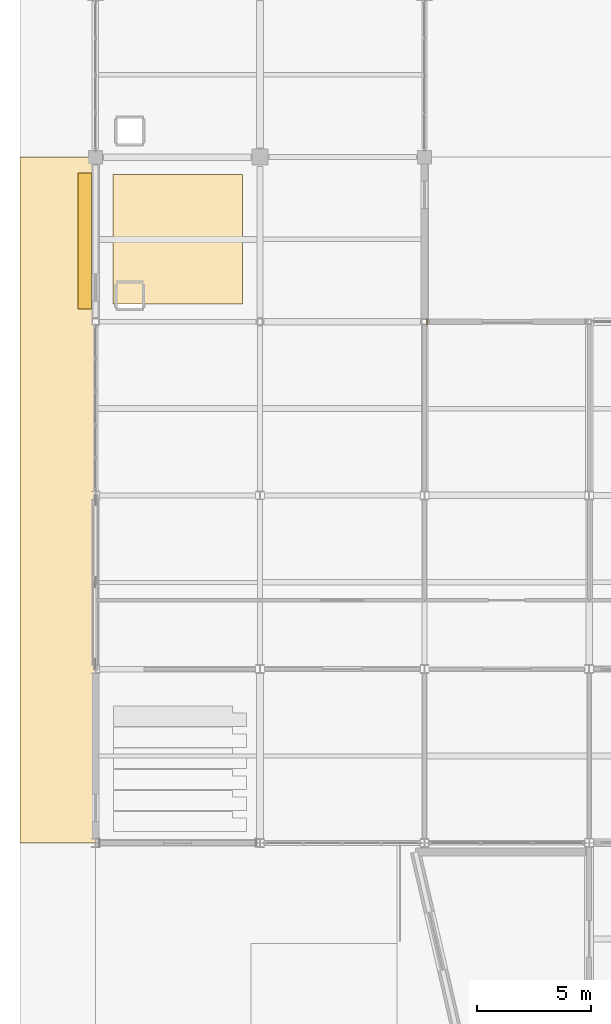
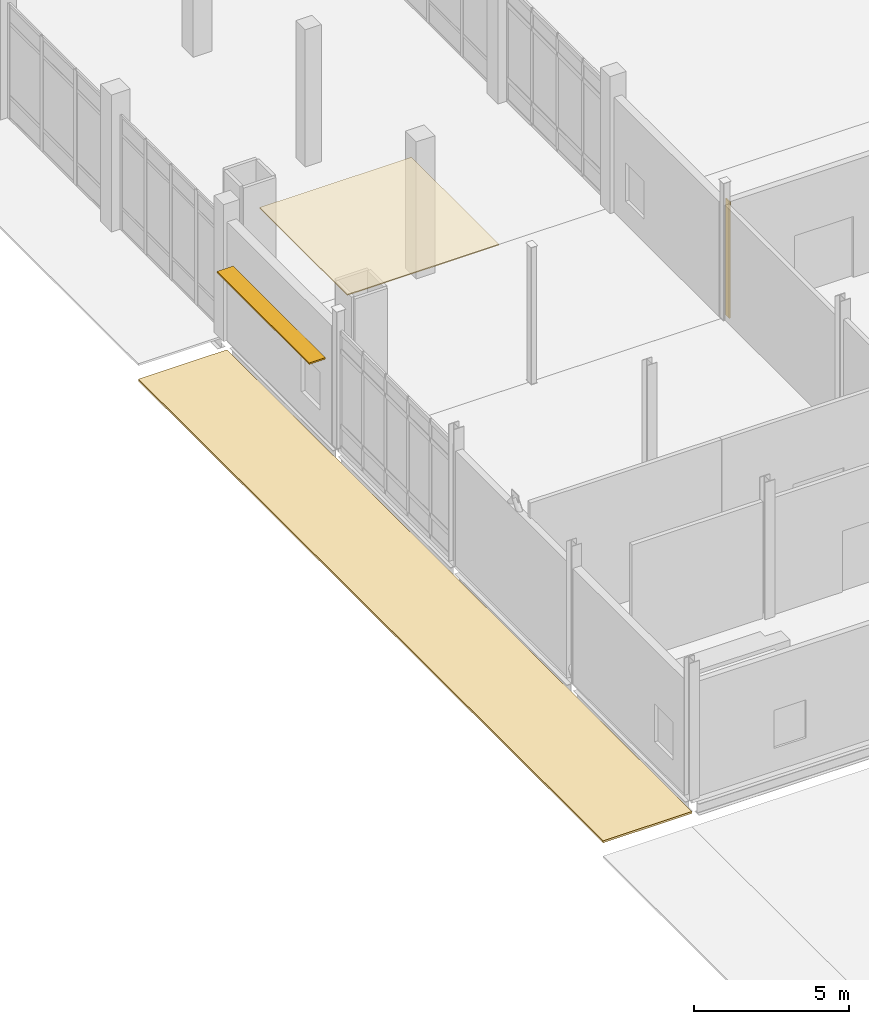
# One storey, part 213 of 229: 3 coverings, 1 shading device.
"""IFC4 building model written with IfcOpenShell, lengths in metres."""

from ifc_helpers import new_model, si_unit, direction, frame, origin, origin_2d, place, context, subcontext, project, spatial, polyline, rectangle, outline, extrude, material, layer, layer_set, type_object, element, save


model = new_model("IFC4")

# Units and contexts
model_context = context("Model", 3, precision=1e-05, world=origin(), true_north=direction((0.0, 1.0)))
body_context = subcontext(model_context, "Body", "Model", "MODEL_VIEW")
ifc_project = project(units=[si_unit("LENGTHUNIT", "METRE"), si_unit("AREAUNIT", "SQUARE_METRE"), si_unit("VOLUMEUNIT", "CUBIC_METRE"), si_unit("PLANEANGLEUNIT", "RADIAN"), si_unit("MASSUNIT", "GRAM", prefix="KILO")], contexts=[model_context])

# Site, building, storey
site_placement = place(None, origin())
site = spatial("IfcSite", under=ifc_project, at=site_placement, CompositionType="ELEMENT")
building_placement = place(site_placement, origin())
building = spatial("IfcBuilding", under=site, at=building_placement, Name="Calvrana Isthmian Art Gallery", CompositionType="ELEMENT")
storey_placement = place(building_placement, origin())
storey = spatial("IfcBuildingStorey", under=building, at=storey_placement, Name="L00", CompositionType="ELEMENT", Elevation=0.0)

# Coverings
ifc_material_1 = material(Name="Acoustic gypsum ceiling", Category="gypsum")
ifc_layer_1 = layer(ifc_material_1, 0.0400390625, Name="Acoustic gypsum ceiling")
ifc_layer_set_1 = layer_set([ifc_layer_1], Name="Acoustic gypsum ceiling")
covering_type_1 = type_object("IfcCoveringType", Name="COV-CEIL-ACOUST", PredefinedType="CEILING", material=ifc_layer_set_1)
covering_1_placement = place(storey_placement, frame((0.0, 0.0, 5.162109375)))
element("IfcCovering", 1, at=covering_1_placement, inside=storey, type_object=covering_type_1, Name="Gallery acoustic ceiling 11", PredefinedType="CEILING", context=body_context, shape_type="SweptSolid", body=[
    extrude(outline(polyline([(0.77001953125, 70.3701171875), (6.429931640625, 70.3701171875), (6.429931640625, 76.030029296875), (0.77001953125, 76.030029296875), (0.77001953125, 70.3701171875)])), origin(), (0.0, 0.0, 1.0), 0.039794921875),
])
ifc_material_2 = material(Name="Polychrome glazed terracotta", Category="masonry")
ifc_layer_2 = layer(ifc_material_2, 0.0400390625, Name="Polychrome glazed terracotta")
ifc_layer_set_2 = layer_set([ifc_layer_2], Name="Polychrome glazed terracotta")
covering_type_2 = type_object("IfcCoveringType", Name="COV-CLAD-TERRA", PredefinedType="CLADDING", material=ifc_layer_set_2)
covering_2_placement = place(storey_placement, origin())
element("IfcCovering", 2, at=covering_2_placement, inside=storey, type_object=covering_type_2, Name="Column pocket weather closure L00-02-09-W", PredefinedType="CLADDING", context=body_context, shape_type="SweptSolid", body=[
    extrude(outline(polyline([(14.487060546875, 69.47509765625), (14.527099609375, 69.47509765625), (14.527099609375, 69.72509765625), (14.487060546875, 69.72509765625), (14.487060546875, 69.47509765625)])), origin(), (0.0, 0.0, 1.0), 4.591064453125),
])
ifc_material_3 = material(Name="Pale Isthmian limestone", Category="masonry")
ifc_layer_3 = layer(ifc_material_3, 0.080078125, Name="Pale Isthmian limestone")
ifc_layer_set_3 = layer_set([ifc_layer_3], Name="Pale Isthmian limestone")
covering_type_3 = type_object("IfcCoveringType", Name="COV-SITE-PAVING", PredefinedType="USERDEFINED", material=ifc_layer_set_3)
covering_3_placement = place(storey_placement, frame((0.0, 0.0, -0.679931640625)))
element("IfcCovering", 3, at=covering_3_placement, inside=storey, type_object=covering_type_3, Name="Stepped hillside grade paving bench PAV_W_MID", ObjectType="PAVING", PredefinedType="USERDEFINED", context=body_context, shape_type="SweptSolid", body=[
    extrude(outline(polyline([(-3.300048828125, 46.800048828125), (0.001953125, 46.800048828125), (0.001953125, 76.800048828125), (-3.300048828125, 76.800048828125), (-3.300048828125, 46.800048828125)])), origin(), (0.0, 0.0, 1.0), 0.079833984375),
])

# Shading device
ifc_material_4 = material(Name="Anodized bronze aluminium 6063-T6", Category="aluminium")
ifc_layer_4 = layer(ifc_material_4, 0.06005859375, Name="Anodized bronze aluminium 6063-T6")
ifc_layer_set_4 = layer_set([ifc_layer_4], Name="Anodized bronze aluminium 6063-T6")
shading_device_type = type_object("IfcShadingDeviceType", Name="SHD-LOUVRE-600", PredefinedType="JALOUSIE", material=ifc_layer_set_4)
shading_device_placement = place(storey_placement, frame((-0.472900390625, 73.126220703125, 3.119873046875), z_axis=(0.0, 0.0, 1.0), x_axis=(0.0, 1.0, 0.0)))
element("IfcShadingDevice", 4, at=shading_device_placement, inside=storey, type_object=shading_device_type, Name="Anodized bronze horizontal canopy sunshade LV-08", PredefinedType="JALOUSIE", context=body_context, shape_type="SweptSolid", body=[
    extrude(rectangle(XDim=5.947509765625, YDim=0.60009765625, at=origin_2d()), origin(), (0.0, 0.0, 1.0), 0.06005859375),
])

save(model, "model.ifc")
